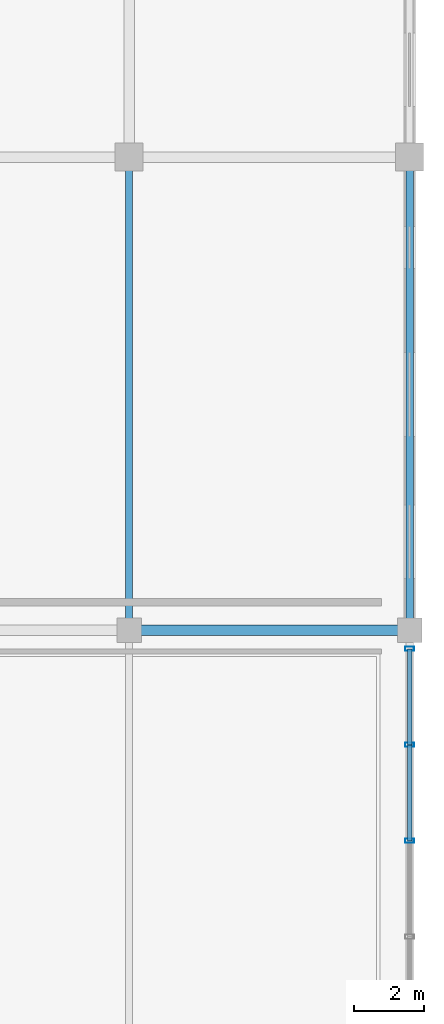
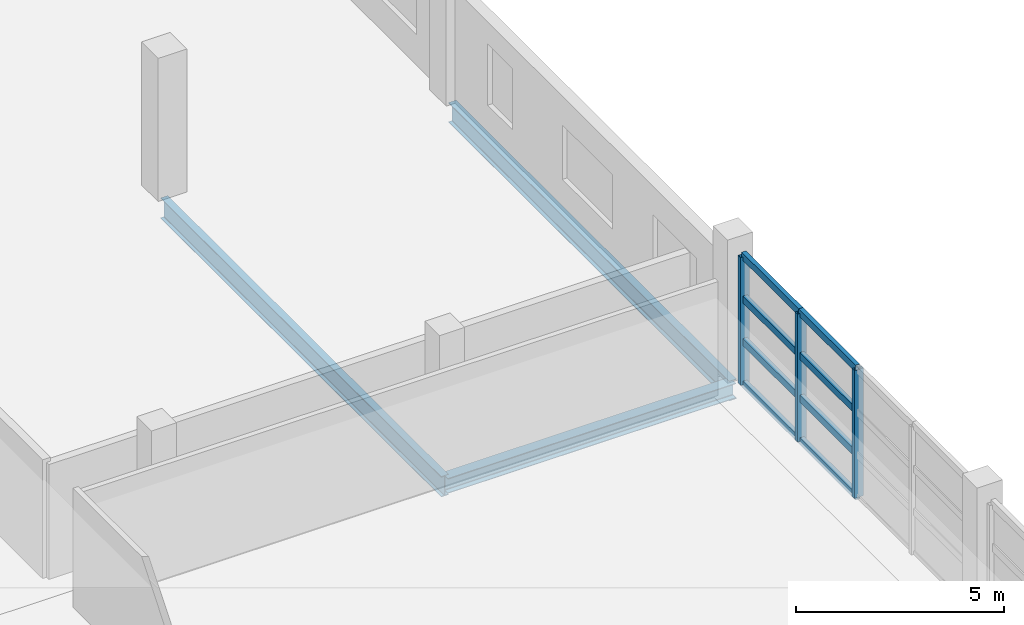
# One storey, part 77 of 136: 11 members, 3 beams, 1 element without a shape of its own.
"""IFC4 building model written with IfcOpenShell, lengths in metres."""

from ifc_helpers import new_model, si_unit, direction, frame, origin, origin_2d, place, context, subcontext, project, spatial, hollow_rectangle, i_section, extrude, material, material_profile, profile_set, type_object, element, aggregate, save


model = new_model("IFC4")

# Units and contexts
model_context = context("Model", 3, precision=1e-05, world=origin(), true_north=direction((0.0, 1.0)))
body_context = subcontext(model_context, "Body", "Model", "MODEL_VIEW")
ifc_project = project(units=[si_unit("LENGTHUNIT", "METRE"), si_unit("AREAUNIT", "SQUARE_METRE"), si_unit("VOLUMEUNIT", "CUBIC_METRE"), si_unit("PLANEANGLEUNIT", "RADIAN"), si_unit("MASSUNIT", "GRAM", prefix="KILO")], contexts=[model_context])

# Site, building, storey
site_placement = place(None, origin())
site = spatial("IfcSite", under=ifc_project, at=site_placement, CompositionType="ELEMENT")
building_placement = place(site_placement, origin())
building = spatial("IfcBuilding", under=site, at=building_placement, Name="Chuanluo Vaults Station", CompositionType="ELEMENT")
storey_placement = place(building_placement, frame((0.0, 0.0, 6.60009765625)))
storey = spatial("IfcBuildingStorey", under=building, at=storey_placement, Name="L01", CompositionType="ELEMENT", Elevation=6.60009765625)

# Beams
ifc_material_1 = material(Name="Steel Q355C", Category="steel")
ifc_material_profile_1 = material_profile(ifc_material_1, i_section(OverallWidth=0.300048828125, OverallDepth=0.43994140625, WebThickness=0.010986328125, FlangeThickness=0.01806640625, FilletRadius=0.02001953125, at=origin_2d()))
ifc_profile_set_1 = profile_set([ifc_material_profile_1], Name="Steel Q355C")
beam_type_1 = type_object("IfcBeamType", Name="BM-GRD-450", PredefinedType="USERDEFINED", material=ifc_profile_set_1)
beam_1_placement = place(storey_placement, frame((180.0, 54.0, -0.460205078125), z_axis=(1.0, 0.0, 0.0), x_axis=(0.0, 1.0, 0.0)))
element("IfcBeam", 1, at=beam_1_placement, inside=storey, type_object=beam_type_1, Name="Floor girder BM:GX:L01:0333", ObjectType="GIRDER", PredefinedType="USERDEFINED", context=body_context, shape_type="SweptSolid", body=[
    extrude(i_section(OverallWidth=0.300048828125, OverallDepth=0.43994140625, WebThickness=0.010986328125, FlangeThickness=0.01806640625, FilletRadius=0.02001953125, at=origin_2d()), origin(), (0.0, 0.0, 1.0), 8.0),
])
ifc_material_2 = material(Name="Steel Q355C", Category="steel")
ifc_material_profile_2 = material_profile(ifc_material_2, i_section(OverallWidth=0.199951171875, OverallDepth=0.60009765625, WebThickness=0.010986328125, FlangeThickness=0.01708984375, FilletRadius=0.01806640625, at=origin_2d()))
ifc_profile_set_2 = profile_set([ifc_material_profile_2], Name="Steel Q355C")
beam_type_2 = type_object("IfcBeamType", Name="BM-GRD-600", PredefinedType="USERDEFINED", material=ifc_profile_set_2)
beam_2_placement = place(storey_placement, frame((180.0, 54.0, -0.5400390625), z_axis=(0.0, 1.0, 0.0), x_axis=(-1.0, 0.0, 0.0)))
element("IfcBeam", 2, at=beam_2_placement, inside=storey, type_object=beam_type_2, Name="Floor girder BM:GY:L01:0516", ObjectType="GIRDER", PredefinedType="USERDEFINED", context=body_context, shape_type="SweptSolid", body=[
    extrude(i_section(OverallWidth=0.199951171875, OverallDepth=0.60009765625, WebThickness=0.010986328125, FlangeThickness=0.01708984375, FilletRadius=0.01806640625, at=origin_2d()), origin(), (0.0, 0.0, 1.0), 13.5),
])
ifc_material_3 = material(Name="Steel Q355C", Category="steel")
ifc_material_profile_3 = material_profile(ifc_material_3, i_section(OverallWidth=0.2099609375, OverallDepth=0.580078125, WebThickness=0.010986328125, FlangeThickness=0.01708984375, FilletRadius=0.01806640625, at=origin_2d()))
ifc_profile_set_3 = profile_set([ifc_material_profile_3], Name="Steel Q355C")
beam_type_3 = type_object("IfcBeamType", Name="BM-SPN-600", PredefinedType="SPANDREL", material=ifc_profile_set_3)
beam_3_placement = place(storey_placement, frame((188.0, 54.0, -0.530029296875), z_axis=(0.0, 1.0, 0.0), x_axis=(-1.0, 0.0, 0.0)))
element("IfcBeam", 3, at=beam_3_placement, inside=storey, type_object=beam_type_3, Name="Floor girder BM:GY:L01:0528", PredefinedType="SPANDREL", context=body_context, shape_type="SweptSolid", body=[
    extrude(i_section(OverallWidth=0.2099609375, OverallDepth=0.580078125, WebThickness=0.010986328125, FlangeThickness=0.01708984375, FilletRadius=0.01806640625, at=origin_2d()), origin(), (0.0, 0.0, 1.0), 13.5),
])

# Curtain wall, members
ifc_material_4 = material(Name="Anodised aluminium 6063-T6", Category="aluminium")
curtain_wall_type = type_object("IfcCurtainWallType", Name="CW-SYS-19", PredefinedType="NOTDEFINED", material=ifc_material_4)
curtain_wall_placement = place(storey_placement, origin())
curtain_wall = element("IfcCurtainWall", 4, at=curtain_wall_placement, inside=storey, type_object=curtain_wall_type, Name="Retail pavilion L01 facade CW", PredefinedType="NOTDEFINED")
ifc_material_5 = material(Name="Anodised aluminium 6063-T6", Category="aluminium")
ifc_material_profile_4 = material_profile(ifc_material_5, hollow_rectangle(XDim=0.1201171875, YDim=0.25, WallThickness=0.006103515625, at=origin_2d()))
ifc_profile_set_4 = profile_set([ifc_material_profile_4], Name="Anodised aluminium 6063-T6")
member_type_1 = type_object("IfcMemberType", Name="CWM-160", PredefinedType="MULLION", material=ifc_profile_set_4)
member_1_placement = place(storey_placement, frame((188.0, 53.47509765625, 0.0), z_axis=(0.0, 0.0, 1.0), x_axis=(0.0, -1.0, 0.0)))
member_1 = element("IfcMember", 5, at=member_1_placement, type_object=member_type_1, Name="Retail pavilion L01 facade CW mullion 1", PredefinedType="MULLION", context=body_context, shape_type="SweptSolid", body=[
    extrude(hollow_rectangle(XDim=0.1201171875, YDim=0.25, WallThickness=0.006103515625, at=origin_2d()), origin(), (0.0, 0.0, 1.0), 3.75),
])
member_2_placement = place(storey_placement, frame((188.0, 50.737548828125, 0.0), z_axis=(0.0, 0.0, 1.0), x_axis=(0.0, -1.0, 0.0)))
member_2 = element("IfcMember", 6, at=member_2_placement, type_object=member_type_1, Name="Retail pavilion L01 facade CW mullion 2", PredefinedType="MULLION", context=body_context, shape_type="SweptSolid", body=[
    extrude(hollow_rectangle(XDim=0.1201171875, YDim=0.25, WallThickness=0.006103515625, at=origin_2d()), origin(), (0.0, 0.0, 1.0), 3.75),
])
member_3_placement = place(storey_placement, frame((188.0, 48.0, 0.0), z_axis=(0.0, 0.0, 1.0), x_axis=(0.0, -1.0, 0.0)))
member_3 = element("IfcMember", 7, at=member_3_placement, type_object=member_type_1, Name="Retail pavilion L01 facade CW mullion 3", PredefinedType="MULLION", context=body_context, shape_type="SweptSolid", body=[
    extrude(hollow_rectangle(XDim=0.1201171875, YDim=0.25, WallThickness=0.006103515625, at=origin_2d()), origin(), (0.0, 0.0, 1.0), 3.75),
])
ifc_material_6 = material(Name="Anodised aluminium 6063-T6", Category="aluminium")
ifc_material_profile_5 = material_profile(ifc_material_6, hollow_rectangle(XDim=0.1201171875, YDim=0.205078125, WallThickness=0.006103515625, at=origin_2d()))
ifc_profile_set_5 = profile_set([ifc_material_profile_5], Name="Anodised aluminium 6063-T6")
member_type_2 = type_object("IfcMemberType", Name="CWT-130", PredefinedType="USERDEFINED", material=ifc_profile_set_5)
member_4_placement = place(storey_placement, frame((188.0, 53.47509765625, 0.0), z_axis=(0.0, -1.0, 0.0), x_axis=(1.0, 0.0, 0.0)))
member_4 = element("IfcMember", 8, at=member_4_placement, type_object=member_type_2, Name="Retail pavilion L01 facade CW transom 1.1", ObjectType="TRANSOM", PredefinedType="USERDEFINED", context=body_context, shape_type="SweptSolid", body=[
    extrude(hollow_rectangle(XDim=0.1201171875, YDim=0.205078125, WallThickness=0.006103515625, at=origin_2d()), origin(), (0.0, 0.0, 1.0), 2.737548828125),
])
member_5_placement = place(storey_placement, frame((188.0, 53.47509765625, 1.25), z_axis=(0.0, -1.0, 0.0), x_axis=(1.0, 0.0, 0.0)))
member_5 = element("IfcMember", 9, at=member_5_placement, type_object=member_type_2, Name="Retail pavilion L01 facade CW transom 1.2", ObjectType="TRANSOM", PredefinedType="USERDEFINED", context=body_context, shape_type="SweptSolid", body=[
    extrude(hollow_rectangle(XDim=0.1201171875, YDim=0.205078125, WallThickness=0.006103515625, at=origin_2d()), origin(), (0.0, 0.0, 1.0), 2.737548828125),
])
member_6_placement = place(storey_placement, frame((188.0, 53.47509765625, 2.5), z_axis=(0.0, -1.0, 0.0), x_axis=(1.0, 0.0, 0.0)))
member_6 = element("IfcMember", 10, at=member_6_placement, type_object=member_type_2, Name="Retail pavilion L01 facade CW transom 1.3", ObjectType="TRANSOM", PredefinedType="USERDEFINED", context=body_context, shape_type="SweptSolid", body=[
    extrude(hollow_rectangle(XDim=0.1201171875, YDim=0.205078125, WallThickness=0.006103515625, at=origin_2d()), origin(), (0.0, 0.0, 1.0), 2.737548828125),
])
member_7_placement = place(storey_placement, frame((188.0, 53.47509765625, 3.75), z_axis=(0.0, -1.0, 0.0), x_axis=(1.0, 0.0, 0.0)))
member_7 = element("IfcMember", 11, at=member_7_placement, type_object=member_type_2, Name="Retail pavilion L01 facade CW transom 1.4", ObjectType="TRANSOM", PredefinedType="USERDEFINED", context=body_context, shape_type="SweptSolid", body=[
    extrude(hollow_rectangle(XDim=0.1201171875, YDim=0.205078125, WallThickness=0.006103515625, at=origin_2d()), origin(), (0.0, 0.0, 1.0), 2.737548828125),
])
member_8_placement = place(storey_placement, frame((188.0, 50.737548828125, 0.0), z_axis=(0.0, -1.0, 0.0), x_axis=(1.0, 0.0, 0.0)))
member_8 = element("IfcMember", 12, at=member_8_placement, type_object=member_type_2, Name="Retail pavilion L01 facade CW transom 2.1", ObjectType="TRANSOM", PredefinedType="USERDEFINED", context=body_context, shape_type="SweptSolid", body=[
    extrude(hollow_rectangle(XDim=0.1201171875, YDim=0.205078125, WallThickness=0.006103515625, at=origin_2d()), origin(), (0.0, 0.0, 1.0), 2.737548828125),
])
member_9_placement = place(storey_placement, frame((188.0, 50.737548828125, 1.25), z_axis=(0.0, -1.0, 0.0), x_axis=(1.0, 0.0, 0.0)))
member_9 = element("IfcMember", 13, at=member_9_placement, type_object=member_type_2, Name="Retail pavilion L01 facade CW transom 2.2", ObjectType="TRANSOM", PredefinedType="USERDEFINED", context=body_context, shape_type="SweptSolid", body=[
    extrude(hollow_rectangle(XDim=0.1201171875, YDim=0.205078125, WallThickness=0.006103515625, at=origin_2d()), origin(), (0.0, 0.0, 1.0), 2.737548828125),
])
member_10_placement = place(storey_placement, frame((188.0, 50.737548828125, 2.5), z_axis=(0.0, -1.0, 0.0), x_axis=(1.0, 0.0, 0.0)))
member_10 = element("IfcMember", 14, at=member_10_placement, type_object=member_type_2, Name="Retail pavilion L01 facade CW transom 2.3", ObjectType="TRANSOM", PredefinedType="USERDEFINED", context=body_context, shape_type="SweptSolid", body=[
    extrude(hollow_rectangle(XDim=0.1201171875, YDim=0.205078125, WallThickness=0.006103515625, at=origin_2d()), origin(), (0.0, 0.0, 1.0), 2.737548828125),
])
member_11_placement = place(storey_placement, frame((188.0, 50.737548828125, 3.75), z_axis=(0.0, -1.0, 0.0), x_axis=(1.0, 0.0, 0.0)))
member_11 = element("IfcMember", 15, at=member_11_placement, type_object=member_type_2, Name="Retail pavilion L01 facade CW transom 2.4", ObjectType="TRANSOM", PredefinedType="USERDEFINED", context=body_context, shape_type="SweptSolid", body=[
    extrude(hollow_rectangle(XDim=0.1201171875, YDim=0.205078125, WallThickness=0.006103515625, at=origin_2d()), origin(), (0.0, 0.0, 1.0), 2.737548828125),
])
aggregate(curtain_wall, [member_1, member_2, member_3, member_4, member_5, member_6, member_7, member_8, member_9, member_10, member_11])

save(model, "model.ifc")
